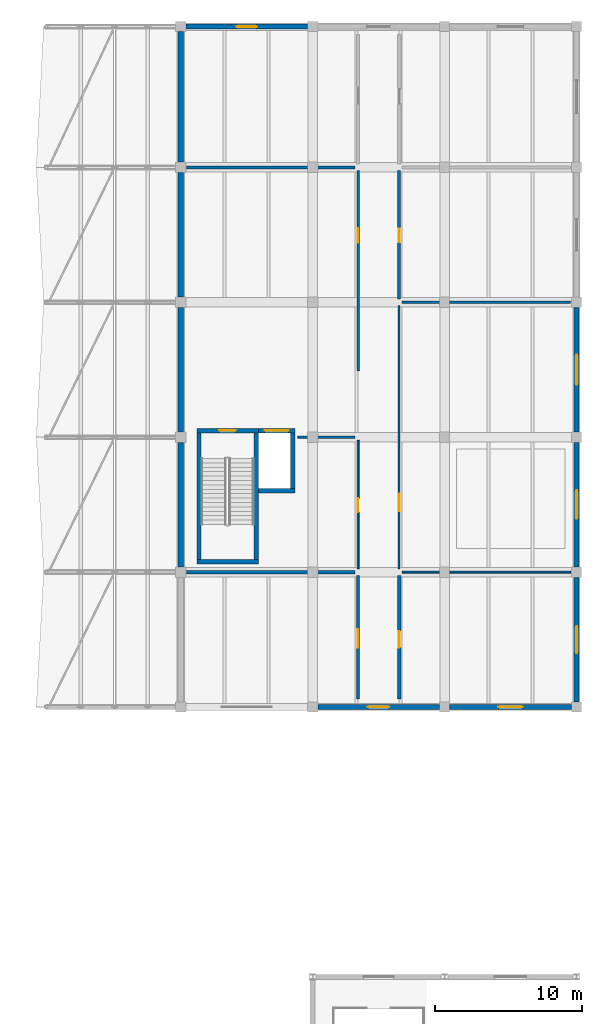
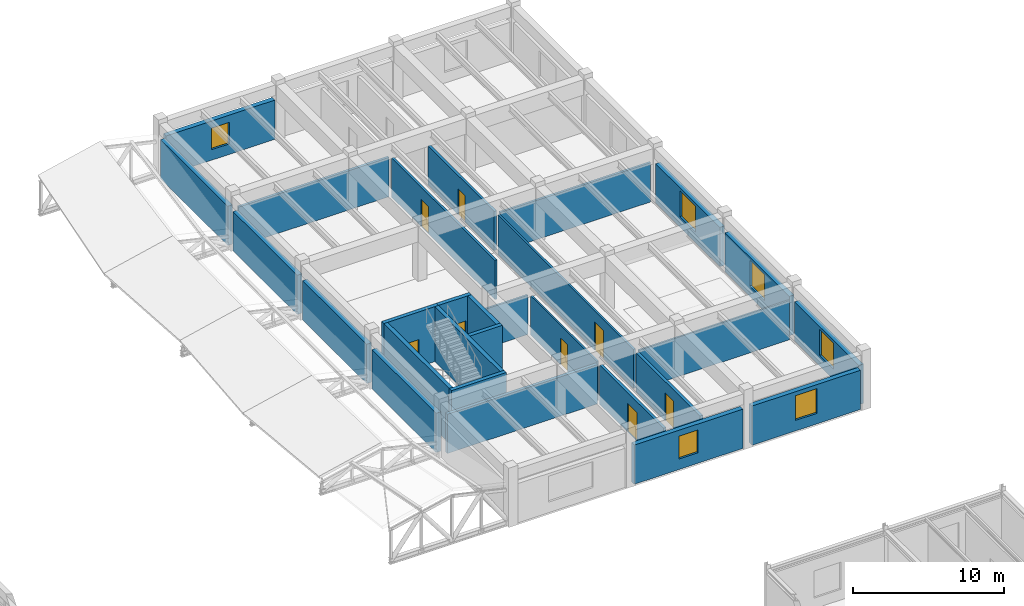
# One storey, part 77 of 90: 28 walls, 8 doors, 6 windows, 14 openings.
"""IFC4 building model written with IfcOpenShell, lengths in metres."""

from ifc_helpers import new_model, si_unit, direction, frame, frame_2d, origin, place, context, subcontext, project, spatial, rectangle, extrude, material, layer, layer_set, type_object, element, fill, save


model = new_model("IFC4")

# Units and contexts
model_context = context("Model", 3, precision=1e-05, world=origin(), true_north=direction((0.0, 1.0)))
body_context = subcontext(model_context, "Body", "Model", "MODEL_VIEW")
ifc_project = project(units=[si_unit("LENGTHUNIT", "METRE"), si_unit("AREAUNIT", "SQUARE_METRE"), si_unit("VOLUMEUNIT", "CUBIC_METRE"), si_unit("PLANEANGLEUNIT", "RADIAN"), si_unit("MASSUNIT", "GRAM", prefix="KILO")], contexts=[model_context])

# Site, building, storey
site_placement = place(None, origin())
site = spatial("IfcSite", under=ifc_project, at=site_placement, CompositionType="ELEMENT")
building_placement = place(site_placement, origin())
building = spatial("IfcBuilding", under=site, at=building_placement, Name="Bozkorgan Art Gallery", CompositionType="ELEMENT")
storey_placement = place(building_placement, frame((0.0, 0.0, 5.39990234375)))
storey = spatial("IfcBuildingStorey", under=building, at=storey_placement, Name="L01", CompositionType="ELEMENT", Elevation=5.39990234375)

# Wall, opening, door
ifc_material_1 = material(Name="Concrete C40/50", Category="concrete")
ifc_layer_1 = layer(ifc_material_1, 0.300048828125, Name="Concrete C40/50")
ifc_layer_set_1 = layer_set([ifc_layer_1], Name="Concrete C40/50")
wall_type_1 = type_object("IfcWallType", Name="IWALL-CW-44", PredefinedType="SHEAR", material=ifc_layer_set_1)
wall_1_placement = place(storey_placement, frame((138.10009765625, 84.85009765625, 0.0), z_axis=(0.0, 0.0, 1.0), x_axis=(1.0, 0.0, 0.0)))
wall_1 = element("IfcWall", 1, at=wall_1_placement, inside=storey, type_object=wall_type_1, Name="CORE3 L01 stair core north shear wall", PredefinedType="SHEAR", context=body_context, shape_type="SweptSolid", body=[
    extrude(rectangle(XDim=4.199951171875, YDim=0.300048828125, at=frame_2d((2.10009765625, 0.0))), origin(), (0.0, 0.0, 1.0), 4.440185546875),
])
opening_1_placement = place(wall_1_placement, frame((2.6748046875, 0.0, 0.0), z_axis=(0.0, 0.0, 1.0), x_axis=(-1.0, 0.0, 0.0)))
opening_1 = element("IfcOpeningElement", 2, at=opening_1_placement, cuts=wall_1, Name="Opening SD-41", PredefinedType="OPENING", context=body_context, shape_type="SweptSolid", body=[
    extrude(rectangle(XDim=1.14990234375, YDim=2.199951171875, at=frame_2d((0.574951171875, 1.10009765625))), frame((0.0, 0.16015625, 0.0), z_axis=(0.0, -1.0, 0.0), x_axis=(1.0, 0.0, 0.0)), (0.0, 0.0, 1.0), 0.320068359375),
])
ifc_material_2 = material(Name="Steel S355J2", Category="steel")
door_type_1 = type_object("IfcDoorType", Name="IDOOR-SD-41", OperationType="NOTDEFINED", PredefinedType="DOOR", material=ifc_material_2)
door_1_placement = place(opening_1_placement, origin())
door_1 = element("IfcDoor", 3, at=door_1_placement, inside=storey, type_object=door_type_1, Name="ST3 L01 Fire Stair Door", OperationType="SINGLE_SWING_LEFT", OverallHeight=2.199951171875, OverallWidth=1.14990234375, PredefinedType="DOOR", context=body_context, shape_type="SweptSolid", body=[
    extrude(rectangle(XDim=1.14990234375, YDim=2.199951171875, at=frame_2d((0.574951171875, 1.10009765625))), frame((0.0, 0.02490234375, 0.0), z_axis=(0.0, -1.0, 0.0), x_axis=(1.0, 0.0, 0.0)), (0.0, 0.0, 1.0), 0.050048828125),
])
fill(opening_1, door_1)

# Walls
wall_2_placement = place(storey_placement, frame((138.10009765625, 75.89990234375, 0.0), z_axis=(0.0, 0.0, 1.0), x_axis=(1.0, 0.0, 0.0)))
element("IfcWall", 4, at=wall_2_placement, inside=storey, type_object=wall_type_1, Name="CORE3 L01 stair core S shear wall", PredefinedType="SHEAR", context=body_context, shape_type="SweptSolid", body=[
    extrude(rectangle(XDim=4.199951171875, YDim=0.300048828125, at=frame_2d((2.10009765625, 0.0))), origin(), (0.0, 0.0, 1.0), 4.440185546875),
])
for number, where, z_axis, x_axis, name in (
    (5, (138.25, 76.050048828125, 0.0), (0.0, 0.0, 1.0), (0.0, 1.0, 0.0), "CORE3 L01 stair core W shear wall"),
    (6, (142.14990234375, 76.050048828125, 0.0), (0.0, 0.0, 1.0), (0.0, 1.0, 0.0), "CORE3 L01 stair core E shear wall"),
):
    element("IfcWall", number, at=place(storey_placement, frame(where, z_axis=z_axis, x_axis=x_axis)), inside=storey, type_object=wall_type_1, Name=name, PredefinedType="SHEAR", context=body_context, shape_type="SweptSolid", body=[
        extrude(rectangle(XDim=8.64990234375, YDim=0.300048828125, at=frame_2d((4.324951171875, 0.0))), origin(), (0.0, 0.0, 1.0), 4.440185546875),
    ])

# Wall, opening, door
wall_3_placement = place(storey_placement, frame((142.300048828125, 84.85009765625, 0.0), z_axis=(0.0, 0.0, 1.0), x_axis=(1.0, 0.0, 0.0)))
wall_3 = element("IfcWall", 7, at=wall_3_placement, inside=storey, type_object=wall_type_1, Name="GL1 L01 shaft front shear wall", PredefinedType="SHEAR", context=body_context, shape_type="SweptSolid", body=[
    extrude(rectangle(XDim=2.5, YDim=0.300048828125, at=frame_2d((1.25, 0.0))), origin(), (0.0, 0.0, 1.0), 4.440185546875),
])
opening_2_placement = place(wall_3_placement, frame((0.425048828125, 0.0, 0.0)))
opening_2 = element("IfcOpeningElement", 8, at=opening_2_placement, cuts=wall_3, Name="Opening LD-87", PredefinedType="OPENING", context=body_context, shape_type="SweptSolid", body=[
    extrude(rectangle(XDim=1.64990234375, YDim=2.449951171875, at=frame_2d((0.824951171875, 1.22509765625))), frame((0.0, 0.16015625, 0.0), z_axis=(0.0, -1.0, 0.0), x_axis=(1.0, 0.0, 0.0)), (0.0, 0.0, 1.0), 0.320068359375),
])
door_type_2 = type_object("IfcDoorType", Name="IDOOR-LD-87", OperationType="NOTDEFINED", PredefinedType="DOOR", material=ifc_material_2)
door_2_placement = place(opening_2_placement, origin())
door_2 = element("IfcDoor", 9, at=door_2_placement, inside=storey, type_object=door_type_2, Name="LD-GL1-L01 Lift Landing Door", OperationType="SLIDING_TO_LEFT", OverallHeight=2.449951171875, OverallWidth=1.64990234375, PredefinedType="DOOR", context=body_context, shape_type="SweptSolid", body=[
    extrude(rectangle(XDim=1.64990234375, YDim=2.449951171875, at=frame_2d((0.824951171875, 1.22509765625))), frame((0.0, 0.02490234375, 0.0), z_axis=(0.0, -1.0, 0.0), x_axis=(1.0, 0.0, 0.0)), (0.0, 0.0, 1.0), 0.050048828125),
])
fill(opening_2, door_2)

# Walls
wall_4_placement = place(storey_placement, frame((142.300048828125, 80.75, 0.0), z_axis=(0.0, 0.0, 1.0), x_axis=(1.0, 0.0, 0.0)))
element("IfcWall", 10, at=wall_4_placement, inside=storey, type_object=wall_type_1, Name="GL1 L01 shaft S shear wall", PredefinedType="SHEAR", context=body_context, shape_type="SweptSolid", body=[
    extrude(rectangle(XDim=2.5, YDim=0.300048828125, at=frame_2d((1.25, 0.0))), origin(), (0.0, 0.0, 1.0), 4.440185546875),
])
wall_5_placement = place(storey_placement, frame((144.64990234375, 80.89990234375, 0.0), z_axis=(0.0, 0.0, 1.0), x_axis=(0.0, 1.0, 0.0)))
element("IfcWall", 11, at=wall_5_placement, inside=storey, type_object=wall_type_1, Name="GL1 L01 shaft E shear wall", PredefinedType="SHEAR", context=body_context, shape_type="SweptSolid", body=[
    extrude(rectangle(XDim=3.800048828125, YDim=0.300048828125, at=frame_2d((1.89990234375, 0.0))), origin(), (0.0, 0.0, 1.0), 4.440185546875),
])

# Wall, opening, door
ifc_material_3 = material(Name="Acoustic Gypsum & Mineral Wool Partition")
ifc_layer_2 = layer(ifc_material_3, 0.22998046875, Name="Acoustic Gypsum & Mineral Wool Partition")
ifc_layer_set_2 = layer_set([ifc_layer_2], Name="Acoustic Gypsum & Mineral Wool Partition")
wall_type_2 = type_object("IfcWallType", Name="IWALL-PR-08", PredefinedType="PARTITIONING", material=ifc_layer_set_2)
wall_6_placement = place(storey_placement, frame((151.89990234375, 66.5400390625, 0.0), z_axis=(0.0, 0.0, 1.0), x_axis=(0.0, 1.0, 0.0)))
wall_6 = element("IfcWall", 12, at=wall_6_placement, inside=storey, type_object=wall_type_2, Name="V5 L01 acoustic partition wall 305", PredefinedType="PARTITIONING", context=body_context, shape_type="SweptSolid", body=[
    extrude(rectangle(XDim=8.43994140625, YDim=0.22998046875, at=frame_2d((4.219970703125, 0.0))), origin(), (0.0, 0.0, 1.0), 3.175048828125),
])
opening_3_placement = place(wall_6_placement, frame((3.518798828125, 0.0, 0.0)))
opening_3 = element("IfcOpeningElement", 13, at=opening_3_placement, cuts=wall_6, Name="Opening FD-89", PredefinedType="OPENING", context=body_context, shape_type="SweptSolid", body=[
    extrude(rectangle(XDim=1.1201171875, YDim=2.260009765625, at=frame_2d((0.56005859375, 1.1298828125))), frame((0.0, 0.125, 0.0), z_axis=(0.0, -1.0, 0.0), x_axis=(1.0, 0.0, 0.0)), (0.0, 0.0, 1.0), 0.25),
])
ifc_material_4 = material(Name="Oiled European Oak Joinery")
door_type_3 = type_object("IfcDoorType", Name="IDOOR-FD-89", OperationType="NOTDEFINED", PredefinedType="DOOR", material=ifc_material_4)
door_3_placement = place(opening_3_placement, origin())
door_3 = element("IfcDoor", 14, at=door_3_placement, inside=storey, type_object=door_type_3, Name="Clean Art Store Door", OperationType="SINGLE_SWING_LEFT", OverallHeight=2.260009765625, OverallWidth=1.1201171875, PredefinedType="DOOR", context=body_context, shape_type="SweptSolid", body=[
    extrude(rectangle(XDim=1.1201171875, YDim=2.260009765625, at=frame_2d((0.56005859375, 1.1298828125))), frame((0.0, 0.02490234375, 0.0), z_axis=(0.0, -1.0, 0.0), x_axis=(1.0, 0.0, 0.0)), (0.0, 0.0, 1.0), 0.050048828125),
])
fill(opening_3, door_3)

ifc_layer_3 = layer(ifc_material_3, 0.2099609375, Name="Acoustic Gypsum & Mineral Wool Partition")
ifc_layer_set_3 = layer_set([ifc_layer_3], Name="Acoustic Gypsum & Mineral Wool Partition")
wall_type_3 = type_object("IfcWallType", Name="IWALL-PR-38", PredefinedType="PARTITIONING", material=ifc_layer_set_3)
wall_7_placement = place(storey_placement, frame((149.10009765625, 66.5400390625, 0.0), z_axis=(0.0, 0.0, 1.0), x_axis=(0.0, 1.0, 0.0)))
wall_7 = element("IfcWall", 15, at=wall_7_placement, inside=storey, type_object=wall_type_3, Name="V5 L01 acoustic partition wall 298", PredefinedType="PARTITIONING", context=body_context, shape_type="SweptSolid", body=[
    extrude(rectangle(XDim=8.43994140625, YDim=0.2099609375, at=frame_2d((4.219970703125, 0.0))), origin(), (0.0, 0.0, 1.0), 3.175048828125),
])
opening_4_placement = place(wall_7_placement, frame((4.7587890625, 0.0, 0.0), z_axis=(0.0, 0.0, 1.0), x_axis=(-1.0, 0.0, 0.0)))
opening_4 = element("IfcOpeningElement", 16, at=opening_4_placement, cuts=wall_7, Name="Opening FD-40", PredefinedType="OPENING", context=body_context, shape_type="SweptSolid", body=[
    extrude(rectangle(XDim=1.239990234375, YDim=2.320068359375, at=frame_2d((0.6201171875, 1.16015625))), frame((0.0, 0.114990234375, 0.0), z_axis=(0.0, -1.0, 0.0), x_axis=(1.0, 0.0, 0.0)), (0.0, 0.0, 1.0), 0.22998046875),
])
door_type_4 = type_object("IfcDoorType", Name="IDOOR-FD-40", OperationType="NOTDEFINED", PredefinedType="DOOR", material=ifc_material_4)
door_4_placement = place(opening_4_placement, origin())
door_4 = element("IfcDoor", 17, at=door_4_placement, inside=storey, type_object=door_type_4, Name="Painting Conservation Laboratory Door", OperationType="SINGLE_SWING_LEFT", OverallHeight=2.320068359375, OverallWidth=1.239990234375, PredefinedType="DOOR", context=body_context, shape_type="SweptSolid", body=[
    extrude(rectangle(XDim=1.239990234375, YDim=2.320068359375, at=frame_2d((0.6201171875, 1.16015625))), frame((0.0, 0.02490234375, 0.0), z_axis=(0.0, -1.0, 0.0), x_axis=(1.0, 0.0, 0.0)), (0.0, 0.0, 1.0), 0.050048828125),
])
fill(opening_4, door_4)

ifc_layer_4 = layer(ifc_material_3, 0.169921875, Name="Acoustic Gypsum & Mineral Wool Partition")
ifc_layer_set_4 = layer_set([ifc_layer_4], Name="Acoustic Gypsum & Mineral Wool Partition")
wall_type_4 = type_object("IfcWallType", Name="IWALL-PR-40", PredefinedType="PARTITIONING", material=ifc_layer_set_4)
wall_8_placement = place(storey_placement, frame((149.10009765625, 88.89990234375, 0.0), z_axis=(0.0, 0.0, 1.0), x_axis=(0.0, 1.0, 0.0)))
wall_8 = element("IfcWall", 18, at=wall_8_placement, inside=storey, type_object=wall_type_4, Name="V5 L01 acoustic partition wall 302", PredefinedType="PARTITIONING", context=body_context, shape_type="SweptSolid", body=[
    extrude(rectangle(XDim=13.68017578125, YDim=0.169921875, at=frame_2d((6.840087890625, 0.0))), origin(), (0.0, 0.0, 1.0), 3.175048828125),
])
opening_5_placement = place(wall_8_placement, frame((9.756103515625, 0.0, 0.0), z_axis=(0.0, 0.0, 1.0), x_axis=(-1.0, 0.0, 0.0)))
opening_5 = element("IfcOpeningElement", 19, at=opening_5_placement, cuts=wall_8, Name="Opening FD-60", PredefinedType="OPENING", context=body_context, shape_type="SweptSolid", body=[
    extrude(rectangle(XDim=1.0, YDim=2.199951171875, at=frame_2d((0.5, 1.10009765625))), frame((0.0, 0.094970703125, 0.0), z_axis=(0.0, -1.0, 0.0), x_axis=(1.0, 0.0, 0.0)), (0.0, 0.0, 1.0), 0.18994140625),
])
door_type_5 = type_object("IfcDoorType", Name="IDOOR-FD-60", OperationType="NOTDEFINED", PredefinedType="DOOR", material=ifc_material_4)
door_5_placement = place(opening_5_placement, origin())
door_5 = element("IfcDoor", 20, at=door_5_placement, inside=storey, type_object=door_type_5, Name="XRay Pigment Analysis Lab Door", OperationType="SINGLE_SWING_LEFT", OverallHeight=2.199951171875, OverallWidth=1.0, PredefinedType="DOOR", context=body_context, shape_type="SweptSolid", body=[
    extrude(rectangle(XDim=1.0, YDim=2.199951171875, at=frame_2d((0.5, 1.10009765625))), frame((0.0, 0.02490234375, 0.0), z_axis=(0.0, -1.0, 0.0), x_axis=(1.0, 0.0, 0.0)), (0.0, 0.0, 1.0), 0.050048828125),
])
fill(opening_5, door_5)

ifc_layer_5 = layer(ifc_material_3, 0.14990234375, Name="Acoustic Gypsum & Mineral Wool Partition")
ifc_layer_set_5 = layer_set([ifc_layer_5], Name="Acoustic Gypsum & Mineral Wool Partition")
wall_type_5 = type_object("IfcWallType", Name="IWALL-PR-55", PredefinedType="PARTITIONING", material=ifc_layer_set_5)
wall_9_placement = place(storey_placement, frame((151.89990234375, 75.419921875, 0.0), z_axis=(0.0, 0.0, 1.0), x_axis=(0.0, 1.0, 0.0)))
wall_9 = element("IfcWall", 21, at=wall_9_placement, inside=storey, type_object=wall_type_5, Name="V5 L01 acoustic partition wall 307", PredefinedType="PARTITIONING", context=body_context, shape_type="SweptSolid", body=[
    extrude(rectangle(XDim=17.9599609375, YDim=0.14990234375, at=frame_2d((8.97998046875, 0.0))), origin(), (0.0, 0.0, 1.0), 3.175048828125),
])
opening_6_placement = place(wall_9_placement, frame((3.935546875, 0.0, 0.0)))
opening_6 = element("IfcOpeningElement", 22, at=opening_6_placement, cuts=wall_9, Name="Opening FD-05", PredefinedType="OPENING", context=body_context, shape_type="SweptSolid", body=[
    extrude(rectangle(XDim=1.199951171875, YDim=2.300048828125, at=frame_2d((0.60009765625, 1.14990234375))), frame((0.0, 0.0849609375, 0.0), z_axis=(0.0, -1.0, 0.0), x_axis=(1.0, 0.0, 0.0)), (0.0, 0.0, 1.0), 0.169921875),
])
door_type_6 = type_object("IfcDoorType", Name="IDOOR-FD-05", OperationType="NOTDEFINED", PredefinedType="DOOR", material=ifc_material_4)
door_6_placement = place(opening_6_placement, origin())
door_6 = element("IfcDoor", 23, at=door_6_placement, inside=storey, type_object=door_type_6, Name="Collection Archive Room Door", OperationType="SINGLE_SWING_RIGHT", OverallHeight=2.300048828125, OverallWidth=1.199951171875, PredefinedType="DOOR", context=body_context, shape_type="SweptSolid", body=[
    extrude(rectangle(XDim=1.199951171875, YDim=2.300048828125, at=frame_2d((0.60009765625, 1.14990234375))), frame((0.0, 0.02490234375, 0.0), z_axis=(0.0, -1.0, 0.0), x_axis=(1.0, 0.0, 0.0)), (0.0, 0.0, 1.0), 0.050048828125),
])
fill(opening_6, door_6)

ifc_layer_6 = layer(ifc_material_3, 0.18994140625, Name="Acoustic Gypsum & Mineral Wool Partition")
ifc_layer_set_6 = layer_set([ifc_layer_6], Name="Acoustic Gypsum & Mineral Wool Partition")
wall_type_6 = type_object("IfcWallType", Name="IWALL-PR-66", PredefinedType="PARTITIONING", material=ifc_layer_set_6)
wall_10_placement = place(storey_placement, frame((151.89990234375, 93.820068359375, 0.0), z_axis=(0.0, 0.0, 1.0), x_axis=(0.0, 1.0, 0.0)))
wall_10 = element("IfcWall", 24, at=wall_10_placement, inside=storey, type_object=wall_type_6, Name="V5 L01 acoustic partition wall 309", PredefinedType="PARTITIONING", context=body_context, shape_type="SweptSolid", body=[
    extrude(rectangle(XDim=8.760009765625, YDim=0.18994140625, at=frame_2d((4.3798828125, 0.0))), origin(), (0.0, 0.0, 1.0), 3.175048828125),
])
opening_7_placement = place(wall_10_placement, frame((3.8798828125, 0.0, 0.0)))
opening_7 = element("IfcOpeningElement", 25, at=opening_7_placement, cuts=wall_10, Name="Opening FD-12", PredefinedType="OPENING", context=body_context, shape_type="SweptSolid", body=[
    extrude(rectangle(XDim=0.919921875, YDim=2.1201171875, at=frame_2d((0.4599609375, 1.06005859375))), frame((0.0, 0.10498046875, 0.0), z_axis=(0.0, -1.0, 0.0), x_axis=(1.0, 0.0, 0.0)), (0.0, 0.0, 1.0), 0.2099609375),
])
door_type_7 = type_object("IfcDoorType", Name="IDOOR-FD-12", OperationType="NOTDEFINED", PredefinedType="DOOR", material=ifc_material_4)
door_7_placement = place(opening_7_placement, origin())
door_7 = element("IfcDoor", 26, at=door_7_placement, inside=storey, type_object=door_type_7, Name="Painting Conservation Laboratory Door", OperationType="SINGLE_SWING_LEFT", OverallHeight=2.1201171875, OverallWidth=0.919921875, PredefinedType="DOOR", context=body_context, shape_type="SweptSolid", body=[
    extrude(rectangle(XDim=0.919921875, YDim=2.1201171875, at=frame_2d((0.4599609375, 1.06005859375))), frame((0.0, 0.02490234375, 0.0), z_axis=(0.0, -1.0, 0.0), x_axis=(1.0, 0.0, 0.0)), (0.0, 0.0, 1.0), 0.050048828125),
])
fill(opening_7, door_7)

ifc_layer_7 = layer(ifc_material_3, 0.1298828125, Name="Acoustic Gypsum & Mineral Wool Partition")
ifc_layer_set_7 = layer_set([ifc_layer_7], Name="Acoustic Gypsum & Mineral Wool Partition")
wall_type_7 = type_object("IfcWallType", Name="IWALL-PR-76", PredefinedType="PARTITIONING", material=ifc_layer_set_7)
wall_11_placement = place(storey_placement, frame((149.10009765625, 75.419921875, 0.0), z_axis=(0.0, 0.0, 1.0), x_axis=(0.0, 1.0, 0.0)))
wall_11 = element("IfcWall", 27, at=wall_11_placement, inside=storey, type_object=wall_type_7, Name="V5 L01 acoustic partition wall 300", PredefinedType="PARTITIONING", context=body_context, shape_type="SweptSolid", body=[
    extrude(rectangle(XDim=8.760009765625, YDim=0.1298828125, at=frame_2d((4.3798828125, 0.0))), origin(), (0.0, 0.0, 1.0), 3.175048828125),
])
opening_8_placement = place(wall_11_placement, frame((4.829833984375, 0.0, 0.0), z_axis=(0.0, 0.0, 1.0), x_axis=(-1.0, 0.0, 0.0)))
opening_8 = element("IfcOpeningElement", 28, at=opening_8_placement, cuts=wall_11, Name="Opening FD-92", PredefinedType="OPENING", context=body_context, shape_type="SweptSolid", body=[
    extrude(rectangle(XDim=0.949951171875, YDim=2.14990234375, at=frame_2d((0.47509765625, 1.074951171875))), frame((0.0, 0.074951171875, 0.0), z_axis=(0.0, -1.0, 0.0), x_axis=(1.0, 0.0, 0.0)), (0.0, 0.0, 1.0), 0.14990234375),
])
door_type_8 = type_object("IfcDoorType", Name="IDOOR-FD-92", OperationType="NOTDEFINED", PredefinedType="DOOR", material=ifc_material_4)
door_8_placement = place(opening_8_placement, origin())
door_8 = element("IfcDoor", 29, at=door_8_placement, inside=storey, type_object=door_type_8, Name="Paper Conservation Laboratory Door", OperationType="SINGLE_SWING_RIGHT", OverallHeight=2.14990234375, OverallWidth=0.949951171875, PredefinedType="DOOR", context=body_context, shape_type="SweptSolid", body=[
    extrude(rectangle(XDim=0.949951171875, YDim=2.14990234375, at=frame_2d((0.47509765625, 1.074951171875))), frame((0.0, 0.02490234375, 0.0), z_axis=(0.0, -1.0, 0.0), x_axis=(1.0, 0.0, 0.0)), (0.0, 0.0, 1.0), 0.050048828125),
])
fill(opening_8, door_8)

# Walls
ifc_layer_8 = layer(ifc_material_3, 0.169921875, Name="Acoustic Gypsum & Mineral Wool Partition")
ifc_layer_set_8 = layer_set([ifc_layer_8], Name="Acoustic Gypsum & Mineral Wool Partition")
wall_type_8 = type_object("IfcWallType", Name="IWALL-PW-02", PredefinedType="PARTITIONING", material=ifc_layer_set_8)
wall_12_placement = place(storey_placement, frame((152.10009765625, 93.60009765625, 0.0), z_axis=(0.0, 0.0, 1.0), x_axis=(1.0, 0.0, 0.0)))
element("IfcWall", 30, at=wall_12_placement, inside=storey, type_object=wall_type_8, Name="V5 L01 acoustic partition wall 308", PredefinedType="PARTITIONING", context=body_context, shape_type="SweptSolid", body=[
    extrude(rectangle(XDim=11.5, YDim=0.169921875, at=frame_2d((5.75, 0.0))), origin(), (0.0, 0.0, 1.0), 3.175048828125),
])
ifc_layer_9 = layer(ifc_material_3, 0.14990234375, Name="Acoustic Gypsum & Mineral Wool Partition")
ifc_layer_set_9 = layer_set([ifc_layer_9], Name="Acoustic Gypsum & Mineral Wool Partition")
wall_type_9 = type_object("IfcWallType", Name="IWALL-PW-17", PredefinedType="PARTITIONING", material=ifc_layer_set_9)
wall_13_placement = place(storey_placement, frame((144.9599609375, 84.39990234375, 0.0), z_axis=(0.0, 0.0, 1.0), x_axis=(1.0, 0.0, 0.0)))
element("IfcWall", 31, at=wall_13_placement, inside=storey, type_object=wall_type_9, Name="V5 L01 acoustic partition wall 301", PredefinedType="PARTITIONING", context=body_context, shape_type="SweptSolid", body=[
    extrude(rectangle(XDim=3.93994140625, YDim=0.14990234375, at=frame_2d((1.969970703125, 0.0))), origin(), (0.0, 0.0, 1.0), 3.175048828125),
])
ifc_layer_10 = layer(ifc_material_3, 0.18994140625, Name="Acoustic Gypsum & Mineral Wool Partition")
ifc_layer_set_10 = layer_set([ifc_layer_10], Name="Acoustic Gypsum & Mineral Wool Partition")
wall_type_10 = type_object("IfcWallType", Name="IWALL-PW-23", PredefinedType="PARTITIONING", material=ifc_layer_set_10)
wall_14_placement = place(storey_placement, frame((137.39990234375, 102.800048828125, 0.0), z_axis=(0.0, 0.0, 1.0), x_axis=(1.0, 0.0, 0.0)))
element("IfcWall", 32, at=wall_14_placement, inside=storey, type_object=wall_type_10, Name="V5 L01 acoustic partition wall 303", PredefinedType="PARTITIONING", context=body_context, shape_type="SweptSolid", body=[
    extrude(rectangle(XDim=11.5, YDim=0.18994140625, at=frame_2d((5.75, 0.0))), origin(), (0.0, 0.0, 1.0), 3.175048828125),
])
ifc_layer_11 = layer(ifc_material_3, 0.22998046875, Name="Acoustic Gypsum & Mineral Wool Partition")
ifc_layer_set_11 = layer_set([ifc_layer_11], Name="Acoustic Gypsum & Mineral Wool Partition")
wall_type_11 = type_object("IfcWallType", Name="IWALL-PW-96", PredefinedType="PARTITIONING", material=ifc_layer_set_11)
wall_15_placement = place(storey_placement, frame((137.39990234375, 75.199951171875, 0.0), z_axis=(0.0, 0.0, 1.0), x_axis=(1.0, 0.0, 0.0)))
element("IfcWall", 33, at=wall_15_placement, inside=storey, type_object=wall_type_11, Name="V5 L01 acoustic partition wall 299", PredefinedType="PARTITIONING", context=body_context, shape_type="SweptSolid", body=[
    extrude(rectangle(XDim=11.5, YDim=0.22998046875, at=frame_2d((5.75, 0.0))), origin(), (0.0, 0.0, 1.0), 3.175048828125),
])
ifc_layer_12 = layer(ifc_material_3, 0.1298828125, Name="Acoustic Gypsum & Mineral Wool Partition")
ifc_layer_set_12 = layer_set([ifc_layer_12], Name="Acoustic Gypsum & Mineral Wool Partition")
wall_type_12 = type_object("IfcWallType", Name="IWALL-PW-97", PredefinedType="PARTITIONING", material=ifc_layer_set_12)
wall_16_placement = place(storey_placement, frame((152.10009765625, 75.199951171875, 0.0), z_axis=(0.0, 0.0, 1.0), x_axis=(1.0, 0.0, 0.0)))
element("IfcWall", 34, at=wall_16_placement, inside=storey, type_object=wall_type_12, Name="V5 L01 acoustic partition wall 306", PredefinedType="PARTITIONING", context=body_context, shape_type="SweptSolid", body=[
    extrude(rectangle(XDim=11.5, YDim=0.1298828125, at=frame_2d((5.75, 0.0))), origin(), (0.0, 0.0, 1.0), 3.175048828125),
])

# Wall, opening, window
ifc_material_5 = material(Name="Pressed Terracotta Brick Masonry", Category="masonry")
ifc_layer_13 = layer(ifc_material_5, 0.360107421875, Name="Pressed Terracotta Brick Masonry")
ifc_layer_set_13 = layer_set([ifc_layer_13], Name="Pressed Terracotta Brick Masonry")
wall_type_13 = type_object("IfcWallType", Name="WALL-WB-99", PredefinedType="STANDARD", material=ifc_layer_set_13)
wall_17_placement = place(storey_placement, frame((137.35009765625, 112.39990234375, 0.0), z_axis=(0.0, 0.0, 1.0), x_axis=(1.0, 0.0, 0.0)))
wall_17 = element("IfcWall", 35, at=wall_17_placement, inside=storey, type_object=wall_type_13, Name="V5 L01 exterior facade wall 1N-2", PredefinedType="STANDARD", context=body_context, shape_type="SweptSolid", body=[
    extrude(rectangle(XDim=8.2998046875, YDim=0.360107421875, at=frame_2d((4.14990234375, 0.0))), origin(), (0.0, 0.0, 1.0), 3.175048828125),
])
opening_9_placement = place(wall_17_placement, frame((3.47509765625, 0.0, 0.85009765625)))
opening_9 = element("IfcOpeningElement", 36, at=opening_9_placement, cuts=wall_17, Name="Opening WN-63", PredefinedType="OPENING", context=body_context, shape_type="SweptSolid", body=[
    extrude(rectangle(XDim=1.35009765625, YDim=1.75, at=frame_2d((0.675048828125, 0.875))), frame((0.0, 0.18994140625, 0.0), z_axis=(0.0, -1.0, 0.0), x_axis=(1.0, 0.0, 0.0)), (0.0, 0.0, 1.0), 0.380126953125),
])
ifc_material_6 = material(Name="Triple Low-E Laminated Glass", Category="glass")
window_type_1 = type_object("IfcWindowType", Name="WIN-WN-63", PartitioningType="SINGLE_PANEL", PredefinedType="WINDOW", material=ifc_material_6)
window_1_placement = place(opening_9_placement, origin())
window_1 = element("IfcWindow", 37, at=window_1_placement, inside=storey, type_object=window_type_1, Name="V5 L01 gallery window 1N-2", OverallHeight=1.75, OverallWidth=1.35009765625, PartitioningType="SINGLE_PANEL", PredefinedType="WINDOW", context=body_context, shape_type="SweptSolid", body=[
    extrude(rectangle(XDim=1.35009765625, YDim=1.75, at=frame_2d((0.675048828125, 0.875))), frame((0.0, 0.030029296875, 0.0), z_axis=(0.0, -1.0, 0.0), x_axis=(1.0, 0.0, 0.0)), (0.0, 0.0, 1.0), 0.06005859375),
])
fill(opening_9, window_1)

wall_18_placement = place(storey_placement, frame((146.35009765625, 66.0, 0.0), z_axis=(0.0, 0.0, 1.0), x_axis=(1.0, 0.0, 0.0)))
wall_18 = element("IfcWall", 38, at=wall_18_placement, inside=storey, type_object=wall_type_13, Name="V5 L01 exterior facade wall 1S-3", PredefinedType="STANDARD", context=body_context, shape_type="SweptSolid", body=[
    extrude(rectangle(XDim=8.2998046875, YDim=0.360107421875, at=frame_2d((4.14990234375, 0.0))), origin(), (0.0, 0.0, 1.0), 3.175048828125),
])
opening_10_placement = place(wall_18_placement, frame((4.875, 0.0, 0.85009765625), z_axis=(0.0, 0.0, 1.0), x_axis=(-1.0, 0.0, 0.0)))
opening_10 = element("IfcOpeningElement", 39, at=opening_10_placement, cuts=wall_18, Name="Opening WN-34", PredefinedType="OPENING", context=body_context, shape_type="SweptSolid", body=[
    extrude(rectangle(XDim=1.449951171875, YDim=1.85009765625, at=frame_2d((0.72509765625, 0.925048828125))), frame((0.0, 0.18994140625, 0.0), z_axis=(0.0, -1.0, 0.0), x_axis=(1.0, 0.0, 0.0)), (0.0, 0.0, 1.0), 0.380126953125),
])
window_type_2 = type_object("IfcWindowType", Name="WIN-WN-34", PartitioningType="SINGLE_PANEL", PredefinedType="WINDOW", material=ifc_material_6)
window_2_placement = place(opening_10_placement, origin())
window_2 = element("IfcWindow", 40, at=window_2_placement, inside=storey, type_object=window_type_2, Name="V5 L01 gallery window 1S-3", OverallHeight=1.85009765625, OverallWidth=1.449951171875, PartitioningType="SINGLE_PANEL", PredefinedType="WINDOW", context=body_context, shape_type="SweptSolid", body=[
    extrude(rectangle(XDim=1.449951171875, YDim=1.85009765625, at=frame_2d((0.72509765625, 0.925048828125))), frame((0.0, 0.030029296875, 0.0), z_axis=(0.0, -1.0, 0.0), x_axis=(1.0, 0.0, 0.0)), (0.0, 0.0, 1.0), 0.06005859375),
])
fill(opening_10, window_2)

wall_19_placement = place(storey_placement, frame((155.35009765625, 66.0, 0.0), z_axis=(0.0, 0.0, 1.0), x_axis=(1.0, 0.0, 0.0)))
wall_19 = element("IfcWall", 41, at=wall_19_placement, inside=storey, type_object=wall_type_13, Name="V5 L01 exterior facade wall 1S-5", PredefinedType="STANDARD", context=body_context, shape_type="SweptSolid", body=[
    extrude(rectangle(XDim=8.2998046875, YDim=0.360107421875, at=frame_2d((4.14990234375, 0.0))), origin(), (0.0, 0.0, 1.0), 3.175048828125),
])
opening_11_placement = place(wall_19_placement, frame((4.974853515625, 0.0, 0.85009765625), z_axis=(0.0, 0.0, 1.0), x_axis=(-1.0, 0.0, 0.0)))
opening_11 = element("IfcOpeningElement", 42, at=opening_11_placement, cuts=wall_19, Name="Opening WN-36", PredefinedType="OPENING", context=body_context, shape_type="SweptSolid", body=[
    extrude(rectangle(XDim=1.64990234375, YDim=2.0, at=frame_2d((0.824951171875, 1.0))), frame((0.0, 0.18994140625, 0.0), z_axis=(0.0, -1.0, 0.0), x_axis=(1.0, 0.0, 0.0)), (0.0, 0.0, 1.0), 0.380126953125),
])
window_type_3 = type_object("IfcWindowType", Name="WIN-WN-36", PartitioningType="SINGLE_PANEL", PredefinedType="WINDOW", material=ifc_material_6)
window_3_placement = place(opening_11_placement, origin())
window_3 = element("IfcWindow", 43, at=window_3_placement, inside=storey, type_object=window_type_3, Name="V5 L01 gallery window 1S-5", OverallHeight=2.0, OverallWidth=1.64990234375, PartitioningType="SINGLE_PANEL", PredefinedType="WINDOW", context=body_context, shape_type="SweptSolid", body=[
    extrude(rectangle(XDim=1.64990234375, YDim=2.0, at=frame_2d((0.824951171875, 1.0))), frame((0.0, 0.030029296875, 0.0), z_axis=(0.0, -1.0, 0.0), x_axis=(1.0, 0.0, 0.0)), (0.0, 0.0, 1.0), 0.06005859375),
])
fill(opening_11, window_3)

wall_20_placement = place(storey_placement, frame((164.0, 66.35009765625, 0.0), z_axis=(0.0, 0.0, 1.0), x_axis=(0.0, 1.0, 0.0)))
wall_20 = element("IfcWall", 44, at=wall_20_placement, inside=storey, type_object=wall_type_13, Name="V5 L01 exterior facade wall 1E-8", PredefinedType="STANDARD", context=body_context, shape_type="SweptSolid", body=[
    extrude(rectangle(XDim=8.5, YDim=0.360107421875, at=frame_2d((4.25, 0.0))), origin(), (0.0, 0.0, 1.0), 3.175048828125),
])
opening_12_placement = place(wall_20_placement, frame((5.175048828125, 0.0, 0.85009765625), z_axis=(0.0, 0.0, 1.0), x_axis=(-1.0, 0.0, 0.0)))
opening_12 = element("IfcOpeningElement", 45, at=opening_12_placement, cuts=wall_20, Name="Opening WN-04", PredefinedType="OPENING", context=body_context, shape_type="SweptSolid", body=[
    extrude(rectangle(XDim=1.85009765625, YDim=2.10009765625, at=frame_2d((0.925048828125, 1.050048828125))), frame((0.0, 0.18994140625, 0.0), z_axis=(0.0, -1.0, 0.0), x_axis=(1.0, 0.0, 0.0)), (0.0, 0.0, 1.0), 0.380126953125),
])
window_type_4 = type_object("IfcWindowType", Name="WIN-WN-04", PartitioningType="SINGLE_PANEL", PredefinedType="WINDOW", material=ifc_material_6)
window_4_placement = place(opening_12_placement, origin())
window_4 = element("IfcWindow", 46, at=window_4_placement, inside=storey, type_object=window_type_4, Name="V5 L01 gallery window 1E-8", OverallHeight=2.10009765625, OverallWidth=1.85009765625, PartitioningType="SINGLE_PANEL", PredefinedType="WINDOW", context=body_context, shape_type="SweptSolid", body=[
    extrude(rectangle(XDim=1.85009765625, YDim=2.10009765625, at=frame_2d((0.925048828125, 1.050048828125))), frame((0.0, 0.030029296875, 0.0), z_axis=(0.0, -1.0, 0.0), x_axis=(1.0, 0.0, 0.0)), (0.0, 0.0, 1.0), 0.06005859375),
])
fill(opening_12, window_4)

# Wall
wall_21_placement = place(storey_placement, frame((137.0, 75.550048828125, 0.0), z_axis=(0.0, 0.0, 1.0), x_axis=(0.0, 1.0, 0.0)))
element("IfcWall", 47, at=wall_21_placement, inside=storey, type_object=wall_type_13, Name="V5 L01 exterior facade wall 1W-9", PredefinedType="STANDARD", context=body_context, shape_type="SweptSolid", body=[
    extrude(rectangle(XDim=8.5, YDim=0.360107421875, at=frame_2d((4.25, 0.0))), origin(), (0.0, 0.0, 1.0), 3.175048828125),
])

# Wall, opening, window
wall_22_placement = place(storey_placement, frame((164.0, 75.550048828125, 0.0), z_axis=(0.0, 0.0, 1.0), x_axis=(0.0, 1.0, 0.0)))
wall_22 = element("IfcWall", 48, at=wall_22_placement, inside=storey, type_object=wall_type_13, Name="V5 L01 exterior facade wall 1E-10", PredefinedType="STANDARD", context=body_context, shape_type="SweptSolid", body=[
    extrude(rectangle(XDim=8.5, YDim=0.360107421875, at=frame_2d((4.25, 0.0))), origin(), (0.0, 0.0, 1.0), 3.175048828125),
])
opening_13_placement = place(wall_22_placement, frame((5.224853515625, 0.0, 0.85009765625), z_axis=(0.0, 0.0, 1.0), x_axis=(-1.0, 0.0, 0.0)))
opening_13 = element("IfcOpeningElement", 49, at=opening_13_placement, cuts=wall_22, Name="Opening WN-73", PredefinedType="OPENING", context=body_context, shape_type="SweptSolid", body=[
    extrude(rectangle(XDim=1.949951171875, YDim=2.10009765625, at=frame_2d((0.97509765625, 1.050048828125))), frame((0.0, 0.18994140625, 0.0), z_axis=(0.0, -1.0, 0.0), x_axis=(1.0, 0.0, 0.0)), (0.0, 0.0, 1.0), 0.380126953125),
])
window_type_5 = type_object("IfcWindowType", Name="WIN-WN-73", PartitioningType="SINGLE_PANEL", PredefinedType="WINDOW", material=ifc_material_6)
window_5_placement = place(opening_13_placement, origin())
window_5 = element("IfcWindow", 50, at=window_5_placement, inside=storey, type_object=window_type_5, Name="V5 L01 gallery window 1E-10", OverallHeight=2.10009765625, OverallWidth=1.949951171875, PartitioningType="SINGLE_PANEL", PredefinedType="WINDOW", context=body_context, shape_type="SweptSolid", body=[
    extrude(rectangle(XDim=1.949951171875, YDim=2.10009765625, at=frame_2d((0.97509765625, 1.050048828125))), frame((0.0, 0.030029296875, 0.0), z_axis=(0.0, -1.0, 0.0), x_axis=(1.0, 0.0, 0.0)), (0.0, 0.0, 1.0), 0.06005859375),
])
fill(opening_13, window_5)

# Wall
wall_23_placement = place(storey_placement, frame((137.0, 84.75, 0.0), z_axis=(0.0, 0.0, 1.0), x_axis=(0.0, 1.0, 0.0)))
element("IfcWall", 51, at=wall_23_placement, inside=storey, type_object=wall_type_13, Name="V5 L01 exterior facade wall 1W-11", PredefinedType="STANDARD", context=body_context, shape_type="SweptSolid", body=[
    extrude(rectangle(XDim=8.5, YDim=0.360107421875, at=frame_2d((4.25, 0.0))), origin(), (0.0, 0.0, 1.0), 3.175048828125),
])

# Wall, opening, window
wall_24_placement = place(storey_placement, frame((164.0, 84.75, 0.0), z_axis=(0.0, 0.0, 1.0), x_axis=(0.0, 1.0, 0.0)))
wall_24 = element("IfcWall", 52, at=wall_24_placement, inside=storey, type_object=wall_type_13, Name="V5 L01 exterior facade wall 1E-12", PredefinedType="STANDARD", context=body_context, shape_type="SweptSolid", body=[
    extrude(rectangle(XDim=8.5, YDim=0.360107421875, at=frame_2d((4.25, 0.0))), origin(), (0.0, 0.0, 1.0), 3.175048828125),
])
opening_14_placement = place(wall_24_placement, frame((5.275146484375, 0.0, 0.85009765625), z_axis=(0.0, 0.0, 1.0), x_axis=(-1.0, 0.0, 0.0)))
opening_14 = element("IfcOpeningElement", 53, at=opening_14_placement, cuts=wall_24, Name="Opening WN-61", PredefinedType="OPENING", context=body_context, shape_type="SweptSolid", body=[
    extrude(rectangle(XDim=2.050048828125, YDim=2.10009765625, at=frame_2d((1.02490234375, 1.050048828125))), frame((0.0, 0.18994140625, 0.0), z_axis=(0.0, -1.0, 0.0), x_axis=(1.0, 0.0, 0.0)), (0.0, 0.0, 1.0), 0.380126953125),
])
window_type_6 = type_object("IfcWindowType", Name="WIN-WN-61", PartitioningType="SINGLE_PANEL", PredefinedType="WINDOW", material=ifc_material_6)
window_6_placement = place(opening_14_placement, origin())
window_6 = element("IfcWindow", 54, at=window_6_placement, inside=storey, type_object=window_type_6, Name="V5 L01 gallery window 1E-12", OverallHeight=2.10009765625, OverallWidth=2.050048828125, PartitioningType="SINGLE_PANEL", PredefinedType="WINDOW", context=body_context, shape_type="SweptSolid", body=[
    extrude(rectangle(XDim=2.050048828125, YDim=2.10009765625, at=frame_2d((1.02490234375, 1.050048828125))), frame((0.0, 0.030029296875, 0.0), z_axis=(0.0, -1.0, 0.0), x_axis=(1.0, 0.0, 0.0)), (0.0, 0.0, 1.0), 0.06005859375),
])
fill(opening_14, window_6)

# Walls
wall_25_placement = place(storey_placement, frame((137.0, 93.949951171875, 0.0), z_axis=(0.0, 0.0, 1.0), x_axis=(0.0, 1.0, 0.0)))
element("IfcWall", 55, at=wall_25_placement, inside=storey, type_object=wall_type_13, Name="V5 L01 exterior facade wall 1W-13", PredefinedType="STANDARD", context=body_context, shape_type="SweptSolid", body=[
    extrude(rectangle(XDim=8.5, YDim=0.360107421875, at=frame_2d((4.25, 0.0))), origin(), (0.0, 0.0, 1.0), 3.175048828125),
])
wall_26_placement = place(storey_placement, frame((137.0, 103.14990234375, 0.0), z_axis=(0.0, 0.0, 1.0), x_axis=(0.0, 1.0, 0.0)))
element("IfcWall", 56, at=wall_26_placement, inside=storey, type_object=wall_type_13, Name="V5 L01 exterior facade wall 1W-15", PredefinedType="STANDARD", context=body_context, shape_type="SweptSolid", body=[
    extrude(rectangle(XDim=8.900146484375, YDim=0.360107421875, at=frame_2d((4.4501953125, 0.0))), origin(), (0.0, 0.0, 1.0), 3.175048828125),
])

save(model, "model.ifc")
